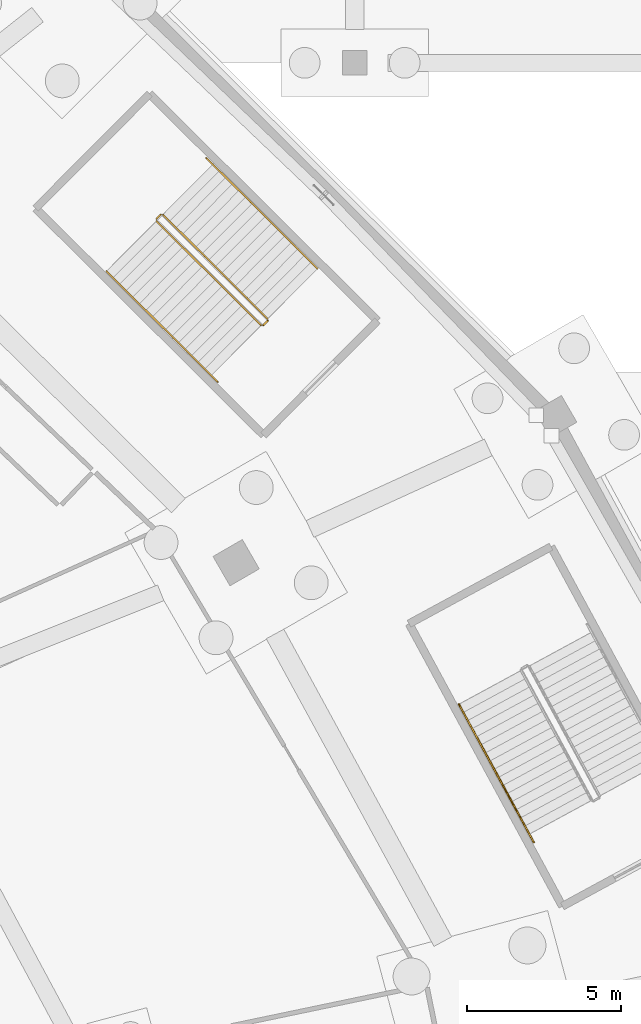
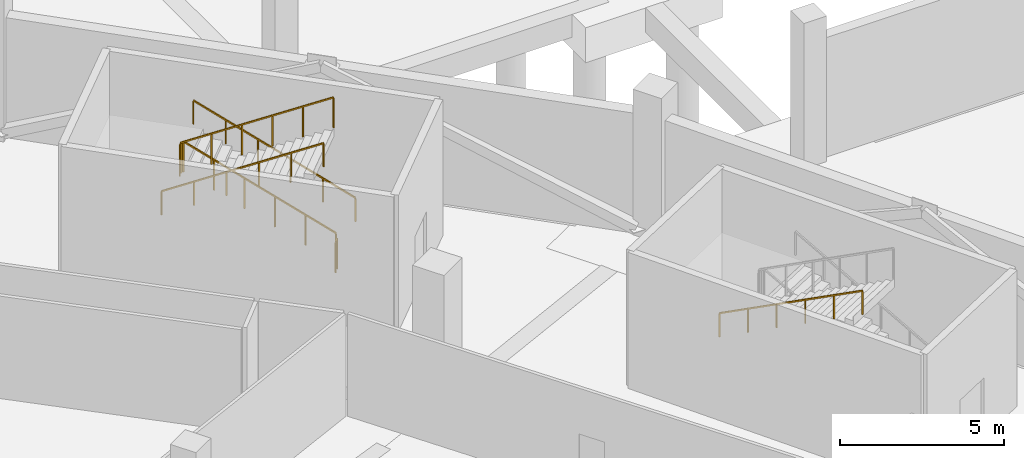
# One storey, part 66 of 74: 7 railings.
"""IFC4 building model written with IfcOpenShell, lengths in metres."""

from ifc_helpers import new_model, si_unit, direction, frame, origin, origin_2d, place, context, subcontext, project, spatial, rectangle, extrude, material, type_object, element, save


model = new_model("IFC4")

# Units and contexts
model_context = context("Model", 3, precision=1e-05, world=origin(), true_north=direction((0.0, 1.0)))
body_context = subcontext(model_context, "Body", "Model", "MODEL_VIEW")
ifc_project = project(units=[si_unit("LENGTHUNIT", "METRE"), si_unit("AREAUNIT", "SQUARE_METRE"), si_unit("VOLUMEUNIT", "CUBIC_METRE"), si_unit("PLANEANGLEUNIT", "RADIAN"), si_unit("MASSUNIT", "GRAM", prefix="KILO")], contexts=[model_context])

# Site, building, storey
site_placement = place(None, origin())
site = spatial("IfcSite", under=ifc_project, at=site_placement, CompositionType="ELEMENT")
building_placement = place(site_placement, origin())
building = spatial("IfcBuilding", under=site, at=building_placement, Name="Zlatoyarsky Gate Stadium", CompositionType="ELEMENT")
storey_placement = place(building_placement, frame((0.0, 0.0, -5.39990234375)))
storey = spatial("IfcBuildingStorey", under=building, at=storey_placement, Name="B1", CompositionType="ELEMENT", Elevation=-5.39990234375)

# Railings
ifc_material_1 = material(Name="Powder-coated steel stair guardrail", Category="steel")
railing_type_1 = type_object("IfcRailingType", Name="PAINTED STEEL STAIR WELL GUARDRAIL 1150", PredefinedType="GUARDRAIL", material=ifc_material_1)
railing_1_placement = place(storey_placement, frame((182.170654296875, 118.681396484375, 0.15869140625)))
element("IfcRailing", 1, at=railing_1_placement, inside=storey, type_object=railing_type_1, Name="ST-02 B1 stair guard 1", PredefinedType="GUARDRAIL", context=body_context, shape_type="SweptSolid", body=[
    extrude(rectangle(XDim=0.048095703125, YDim=0.048095703125, at=origin_2d()), frame((0.0, 0.0, 1.1259765625), z_axis=(-0.626496914872, 0.623350270397, 0.467906033357), x_axis=(-0.705324317314, -0.708884763136, 0.0)), (0.0, 0.0, 1.0), 5.43115234375),
    extrude(rectangle(XDim=0.0419921875, YDim=0.0419921875, at=origin_2d()), origin(), (0.0, 0.0, 1.0), 1.101806640625),
    extrude(rectangle(XDim=0.0419921875, YDim=0.0419921875, at=origin_2d()), frame((-0.680419921875, 0.677001953125, 0.50830078125)), (0.0, 0.0, 1.0), 1.101806640625),
    extrude(rectangle(XDim=0.0419921875, YDim=0.0419921875, at=origin_2d()), frame((-1.361083984375, 1.354248046875, 1.0166015625)), (0.0, 0.0, 1.0), 1.101806640625),
    extrude(rectangle(XDim=0.0419921875, YDim=0.0419921875, at=origin_2d()), frame((-2.04150390625, 2.03125, 1.524658203125)), (0.0, 0.0, 1.0), 1.101806640625),
    extrude(rectangle(XDim=0.0419921875, YDim=0.0419921875, at=origin_2d()), frame((-2.72216796875, 2.70849609375, 2.032958984375)), (0.0, 0.0, 1.0), 1.101806640625),
    extrude(rectangle(XDim=0.0419921875, YDim=0.0419921875, at=origin_2d()), frame((-3.402587890625, 3.385498046875, 2.541259765625)), (0.0, 0.0, 1.0), 1.101806640625),
])
railing_2_placement = place(storey_placement, frame((178.697265625, 122.066650390625, 2.699951171875)))
element("IfcRailing", 2, at=railing_2_placement, inside=storey, type_object=railing_type_1, Name="ST-02 B1 stair guard 2", PredefinedType="GUARDRAIL", context=body_context, shape_type="SweptSolid", body=[
    extrude(rectangle(XDim=0.048095703125, YDim=0.048095703125, at=origin_2d()), frame((0.0, 0.0, 1.1259765625), z_axis=(-0.705274116237, -0.708934708536, 0.0), x_axis=(0.708934708536, -0.705274116237, 0.0)), (0.0, 0.0, 1.0), 0.2001953125),
    extrude(rectangle(XDim=0.0419921875, YDim=0.0419921875, at=origin_2d()), origin(), (0.0, 0.0, 1.0), 1.101806640625),
    extrude(rectangle(XDim=0.0419921875, YDim=0.0419921875, at=origin_2d()), frame((-0.14111328125, -0.141845703125, 0.0)), (0.0, 0.0, 1.0), 1.101806640625),
])
railing_3_placement = place(storey_placement, frame((178.556396484375, 121.854248046875, 2.858642578125)))
element("IfcRailing", 3, at=railing_3_placement, inside=storey, type_object=railing_type_1, Name="ST-02 B1 stair guard 3", PredefinedType="GUARDRAIL", context=body_context, shape_type="SweptSolid", body=[
    extrude(rectangle(XDim=0.048095703125, YDim=0.048095703125, at=origin_2d()), frame((0.0, 0.0, 1.1259765625), z_axis=(0.62652422217, -0.623332715513, 0.467892856117), x_axis=(0.705298886343, 0.708910065469, 0.0)), (0.0, 0.0, 1.0), 5.431396484375),
    extrude(rectangle(XDim=0.0419921875, YDim=0.0419921875, at=origin_2d()), origin(), (0.0, 0.0, 1.0), 1.101806640625),
    extrude(rectangle(XDim=0.0419921875, YDim=0.0419921875, at=origin_2d()), frame((0.6806640625, -0.677001953125, 0.50830078125)), (0.0, 0.0, 1.0), 1.101806640625),
    extrude(rectangle(XDim=0.0419921875, YDim=0.0419921875, at=origin_2d()), frame((1.361083984375, -1.354248046875, 1.0166015625)), (0.0, 0.0, 1.0), 1.101806640625),
    extrude(rectangle(XDim=0.0419921875, YDim=0.0419921875, at=origin_2d()), frame((2.041748046875, -2.03125, 1.524658203125)), (0.0, 0.0, 1.0), 1.101806640625),
    extrude(rectangle(XDim=0.0419921875, YDim=0.0419921875, at=origin_2d()), frame((2.72216796875, -2.70849609375, 2.032958984375)), (0.0, 0.0, 1.0), 1.101806640625),
    extrude(rectangle(XDim=0.0419921875, YDim=0.0419921875, at=origin_2d()), frame((3.40283203125, -3.385498046875, 2.541259765625)), (0.0, 0.0, 1.0), 1.101806640625),
])
railing_4_placement = place(storey_placement, frame((182.1708984375, 118.610595703125, 0.0)))
element("IfcRailing", 4, at=railing_4_placement, inside=storey, type_object=railing_type_1, Name="ST-02 B1 stair guard 4", PredefinedType="GUARDRAIL", context=body_context, shape_type="SweptSolid", body=[
    extrude(rectangle(XDim=0.048095703125, YDim=0.048095703125, at=origin_2d()), frame((0.0, 0.0, 1.1259765625), z_axis=(-0.705884473151, -0.708326979978, 0.0), x_axis=(0.708326979978, -0.705884473151, 0.0)), (0.0, 0.0, 1.0), 0.199951171875),
    extrude(rectangle(XDim=0.0419921875, YDim=0.0419921875, at=origin_2d()), origin(), (0.0, 0.0, 1.0), 1.101806640625),
    extrude(rectangle(XDim=0.0419921875, YDim=0.0419921875, at=origin_2d()), frame((-0.14111328125, -0.1416015625, 0.0)), (0.0, 0.0, 1.0), 1.101806640625),
])
ifc_material_2 = material(Name="Brushed stainless steel 316 handrail", Category="steel")
railing_type_2 = type_object("IfcRailingType", Name="STAINLESS STEEL TUBULAR HANDRAIL 900", PredefinedType="HANDRAIL", material=ifc_material_2)
railing_5_placement = place(storey_placement, frame((183.79296875, 120.311767578125, 0.162841796875)))
element("IfcRailing", 5, at=railing_5_placement, inside=storey, type_object=railing_type_2, Name="ST-02 B1 stair handrail 1", PredefinedType="HANDRAIL", context=body_context, shape_type="SweptSolid", body=[
    extrude(rectangle(XDim=0.048095703125, YDim=0.048095703125, at=origin_2d()), frame((0.0, 0.0, 0.8759765625), z_axis=(-0.626522822418, 0.62334980522, 0.467871962531), x_axis=(-0.705309395881, -0.708899609312, 0.0)), (0.0, 0.0, 1.0), 5.770751953125),
    extrude(rectangle(XDim=0.0419921875, YDim=0.0419921875, at=origin_2d()), origin(), (0.0, 0.0, 1.0), 0.851806640625),
    extrude(rectangle(XDim=0.0419921875, YDim=0.0419921875, at=origin_2d()), frame((-0.72314453125, 0.719482421875, 0.5400390625)), (0.0, 0.0, 1.0), 0.851806640625),
    extrude(rectangle(XDim=0.0419921875, YDim=0.0419921875, at=origin_2d()), frame((-1.4462890625, 1.43896484375, 1.080078125)), (0.0, 0.0, 1.0), 0.851806640625),
    extrude(rectangle(XDim=0.0419921875, YDim=0.0419921875, at=origin_2d()), frame((-2.169189453125, 2.158203125, 1.619873046875)), (0.0, 0.0, 1.0), 0.851806640625),
    extrude(rectangle(XDim=0.0419921875, YDim=0.0419921875, at=origin_2d()), frame((-2.892333984375, 2.877685546875, 2.159912109375)), (0.0, 0.0, 1.0), 0.851806640625),
    extrude(rectangle(XDim=0.0419921875, YDim=0.0419921875, at=origin_2d()), frame((-3.615478515625, 3.59716796875, 2.699951171875)), (0.0, 0.0, 1.0), 0.851806640625),
])
railing_6_placement = place(storey_placement, frame((176.93408203125, 120.2236328125, 2.86279296875)))
element("IfcRailing", 6, at=railing_6_placement, inside=storey, type_object=railing_type_2, Name="ST-02 B1 stair handrail 2", PredefinedType="HANDRAIL", context=body_context, shape_type="SweptSolid", body=[
    extrude(rectangle(XDim=0.048095703125, YDim=0.048095703125, at=origin_2d()), frame((0.0, 0.0, 0.8759765625), z_axis=(0.626539345167, -0.623323936279, 0.467884301317), x_axis=(0.705285338382, 0.708923544159, 0.0)), (0.0, 0.0, 1.0), 5.7705078125),
    extrude(rectangle(XDim=0.0419921875, YDim=0.0419921875, at=origin_2d()), origin(), (0.0, 0.0, 1.0), 0.851806640625),
    extrude(rectangle(XDim=0.0419921875, YDim=0.0419921875, at=origin_2d()), frame((0.72314453125, -0.719482421875, 0.5400390625)), (0.0, 0.0, 1.0), 0.851806640625),
    extrude(rectangle(XDim=0.0419921875, YDim=0.0419921875, at=origin_2d()), frame((1.4462890625, -1.438720703125, 1.080078125)), (0.0, 0.0, 1.0), 0.851806640625),
    extrude(rectangle(XDim=0.0419921875, YDim=0.0419921875, at=origin_2d()), frame((2.169189453125, -2.158203125, 1.619873046875)), (0.0, 0.0, 1.0), 0.851806640625),
    extrude(rectangle(XDim=0.0419921875, YDim=0.0419921875, at=origin_2d()), frame((2.892333984375, -2.87744140625, 2.159912109375)), (0.0, 0.0, 1.0), 0.851806640625),
    extrude(rectangle(XDim=0.0419921875, YDim=0.0419921875, at=origin_2d()), frame((3.615478515625, -3.596923828125, 2.699951171875)), (0.0, 0.0, 1.0), 0.851806640625),
])
railing_7_placement = place(storey_placement, frame((188.390380859375, 106.145751953125, 2.86279296875)))
element("IfcRailing", 7, at=railing_7_placement, inside=storey, type_object=railing_type_2, Name="ST-13 B1 stair handrail 2", PredefinedType="HANDRAIL", context=body_context, shape_type="SweptSolid", body=[
    extrude(rectangle(XDim=0.048095703125, YDim=0.048095703125, at=origin_2d()), frame((0.0, 0.0, 0.8759765625), z_axis=(0.421458562737, -0.776834182793, 0.467868926452), x_axis=(0.878972684615, 0.476872120909, 0.0)), (0.0, 0.0, 1.0), 5.770751953125),
    extrude(rectangle(XDim=0.0419921875, YDim=0.0419921875, at=origin_2d()), origin(), (0.0, 0.0, 1.0), 0.851806640625),
    extrude(rectangle(XDim=0.0419921875, YDim=0.0419921875, at=origin_2d()), frame((0.486328125, -0.896484375, 0.5400390625)), (0.0, 0.0, 1.0), 0.851806640625),
    extrude(rectangle(XDim=0.0419921875, YDim=0.0419921875, at=origin_2d()), frame((0.972900390625, -1.793212890625, 1.080078125)), (0.0, 0.0, 1.0), 0.851806640625),
    extrude(rectangle(XDim=0.0419921875, YDim=0.0419921875, at=origin_2d()), frame((1.459228515625, -2.689697265625, 1.619873046875)), (0.0, 0.0, 1.0), 0.851806640625),
    extrude(rectangle(XDim=0.0419921875, YDim=0.0419921875, at=origin_2d()), frame((1.94580078125, -3.58642578125, 2.159912109375)), (0.0, 0.0, 1.0), 0.851806640625),
    extrude(rectangle(XDim=0.0419921875, YDim=0.0419921875, at=origin_2d()), frame((2.43212890625, -4.48291015625, 2.699951171875)), (0.0, 0.0, 1.0), 0.851806640625),
])

save(model, "model.ifc")
